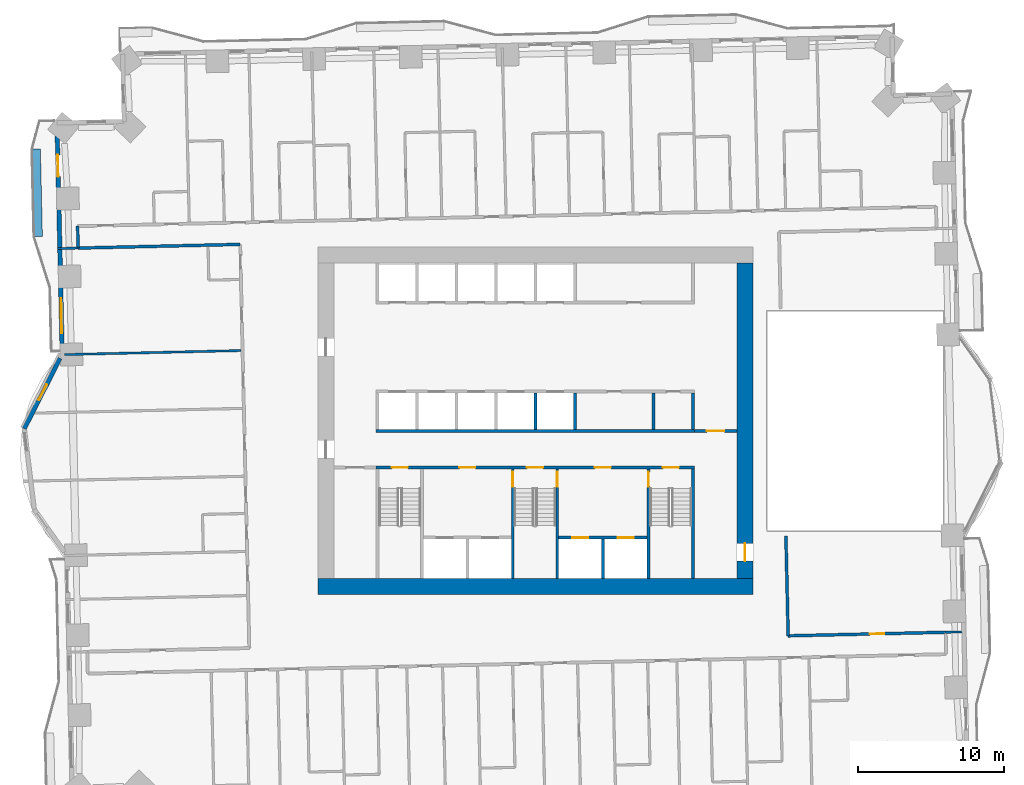
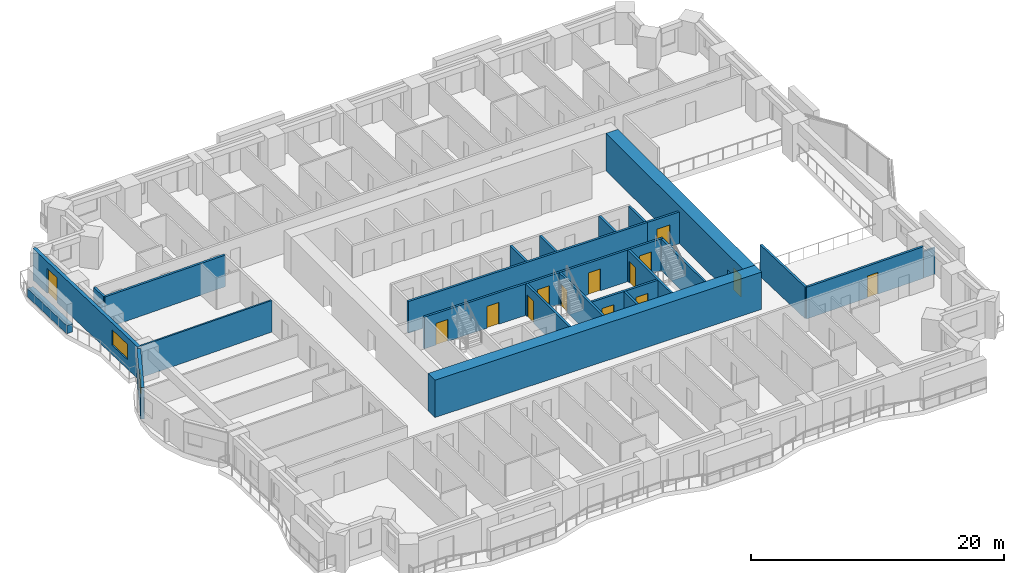
# One storey, part 8 of 16: 25 walls, 14 doors, 2 windows, 16 openings.
"""IFC4 building model written with IfcOpenShell, lengths in metres."""

from ifc_helpers import new_model, si_unit, direction, frame, frame_2d, origin, place, context, subcontext, project, spatial, rectangle, extrude, material, layer, layer_set, type_object, element, fill, save


model = new_model("IFC4")

# Units and contexts
model_context = context("Model", 3, precision=1e-05, world=origin(), true_north=direction((0.0, 1.0)))
body_context = subcontext(model_context, "Body", "Model", "MODEL_VIEW")
ifc_project = project(units=[si_unit("LENGTHUNIT", "METRE"), si_unit("AREAUNIT", "SQUARE_METRE"), si_unit("VOLUMEUNIT", "CUBIC_METRE"), si_unit("PLANEANGLEUNIT", "RADIAN"), si_unit("MASSUNIT", "GRAM", prefix="KILO")], contexts=[model_context])

# Site, building, storey
site_placement = place(None, origin())
site = spatial("IfcSite", under=ifc_project, at=site_placement, CompositionType="ELEMENT")
building_placement = place(site_placement, origin())
building = spatial("IfcBuilding", under=site, at=building_placement, Name="Mangrove Gate Tower", CompositionType="ELEMENT")
storey_placement = place(building_placement, frame((0.0, 0.0, 34.10009765625)))
storey = spatial("IfcBuildingStorey", under=building, at=storey_placement, Name="L07", CompositionType="ELEMENT", Elevation=34.10009765625)

# Wall, opening, door
ifc_material_1 = material(Name="Concrete C32/40", Category="concrete")
ifc_layer_1 = layer(ifc_material_1, 0.199951171875)
ifc_layer_set_1 = layer_set([ifc_layer_1], Name="Core lobby wall 200 C32/40")
wall_type_1 = type_object("IfcWallType", Name="Core lobby wall 200 C32/40", PredefinedType="STANDARD", material=ifc_layer_set_1)
wall_1_placement = place(storey_placement, frame((10.89990234375, -0.699951171875, 0.0), z_axis=(0.0, 0.0, 1.0), x_axis=(1.0, 0.0, 0.0)))
wall_1 = element("IfcWall", 1, at=wall_1_placement, inside=storey, type_object=wall_type_1, Name="WALL-L07-CORE-35", PredefinedType="STANDARD", context=body_context, shape_type="SweptSolid", body=[
    extrude(rectangle(XDim=2.900146484375, YDim=0.199951171875, at=frame_2d((1.4501953125, 0.0))), origin(), (0.0, 0.0, 1.0), 3.0498046875),
])
opening_1_placement = place(wall_1_placement, frame((0.85009765625, 0.0, 0.0)))
opening_1 = element("IfcOpeningElement", 2, at=opening_1_placement, cuts=wall_1, Name="Opening FL12", PredefinedType="OPENING", context=body_context, shape_type="SweptSolid", body=[
    extrude(rectangle(XDim=1.199951171875, YDim=2.10009765625, at=frame_2d((0.60009765625, 1.050048828125))), frame((0.0, 0.10986328125, 0.0), z_axis=(0.0, -1.0, 0.0), x_axis=(1.0, 0.0, 0.0)), (0.0, 0.0, 1.0), 0.219970703125),
])
ifc_material_2 = material(Name="Fire-rated steel door set", Category="steel")
door_type_1 = type_object("IfcDoorType", Name="Lobby door FD60 1200x2100", OperationType="SINGLE_SWING_LEFT", PredefinedType="DOOR", material=ifc_material_2)
door_1_placement = place(opening_1_placement, origin())
door_1 = element("IfcDoor", 3, at=door_1_placement, inside=storey, type_object=door_type_1, Name="Lobby door core corridor E partition", OperationType="SINGLE_SWING_LEFT", OverallHeight=2.10009765625, OverallWidth=1.199951171875, PredefinedType="DOOR", context=body_context, shape_type="SweptSolid", body=[
    extrude(rectangle(XDim=1.199951171875, YDim=2.10009765625, at=frame_2d((0.60009765625, 1.050048828125))), frame((0.0, 0.02490234375, 0.0), z_axis=(0.0, -1.0, 0.0), x_axis=(1.0, 0.0, 0.0)), (0.0, 0.0, 1.0), 0.050048828125),
])
fill(opening_1, door_1)

# Walls
ifc_material_3 = material(Name="Concrete C32/40", Category="concrete")
ifc_layer_2 = layer(ifc_material_3, 0.199951171875)
ifc_layer_set_2 = layer_set([ifc_layer_2], Name="Core room wall 200 C32/40")
wall_type_2 = type_object("IfcWallType", Name="Core room wall 200 C32/40", PredefinedType="STANDARD", material=ifc_layer_set_2)
for number, where, z_axis, x_axis, name in (
    (4, (8.10009765625, -0.60009765625, 0.0), (0.0, 0.0, 1.0), (0.0, 1.0, 0.0), "WALL-L07-CORE-25"),
    (5, (10.800048828125, -0.60009765625, 0.0), (0.0, 0.0, 1.0), (0.0, 1.0, 0.0), "WALL-L07-CORE-26"),
):
    element("IfcWall", number, at=place(storey_placement, frame(where, z_axis=z_axis, x_axis=x_axis)), inside=storey, type_object=wall_type_2, Name=name, PredefinedType="STANDARD", context=body_context, shape_type="SweptSolid", body=[
        extrude(rectangle(XDim=2.5, YDim=0.199951171875, at=frame_2d((1.25, 0.0))), origin(), (0.0, 0.0, 1.0), 3.0498046875),
    ])
ifc_material_4 = material(Name="Concrete C70/85", Category="concrete")
ifc_layer_3 = layer(ifc_material_4, 0.199951171875)
ifc_layer_set_3 = layer_set([ifc_layer_3], Name="Core shaft wall 200 C70/85")
wall_type_3 = type_object("IfcWallType", Name="Core shaft wall 200 C70/85", PredefinedType="SHEAR", material=ifc_layer_set_3)
wall_2_placement = place(storey_placement, frame((-10.89990234375, -0.699951171875, 0.0), z_axis=(0.0, 0.0, 1.0), x_axis=(1.0, 0.0, 0.0)))
element("IfcWall", 6, at=wall_2_placement, inside=storey, type_object=wall_type_3, Name="WALL-L07-CORE-6", PredefinedType="SHEAR", context=body_context, shape_type="SweptSolid", body=[
    extrude(rectangle(XDim=21.7998046875, YDim=0.199951171875, at=frame_2d((10.89990234375, 0.0))), origin(), (0.0, 0.0, 1.0), 3.0498046875),
])

# Wall, openings, doors
wall_3_placement = place(storey_placement, frame((1.60009765625, -8.0, 0.0), z_axis=(0.0, 0.0, 1.0), x_axis=(1.0, 0.0, 0.0)))
wall_3 = element("IfcWall", 7, at=wall_3_placement, inside=storey, type_object=wall_type_3, Name="WALL-L07-CORE-17", PredefinedType="SHEAR", context=body_context, shape_type="SweptSolid", body=[
    extrude(rectangle(XDim=6.0498046875, YDim=0.199951171875, at=frame_2d((3.02490234375, 0.0))), origin(), (0.0, 0.0, 1.0), 3.0498046875),
])
opening_2_placement = place(wall_3_placement, frame((0.91259765625, 0.0, 0.0)))
opening_2 = element("IfcOpeningElement", 8, at=opening_2_placement, cuts=wall_3, Name="Opening LD", PredefinedType="OPENING", context=body_context, shape_type="SweptSolid", body=[
    extrude(rectangle(XDim=1.10009765625, YDim=2.10009765625, at=frame_2d((0.550048828125, 1.050048828125))), frame((0.0, 0.10986328125, 0.0), z_axis=(0.0, -1.0, 0.0), x_axis=(1.0, 0.0, 0.0)), (0.0, 0.0, 1.0), 0.219970703125),
])
opening_3_placement = place(wall_3_placement, frame((4.03759765625, 0.0, 0.0)))
opening_3 = element("IfcOpeningElement", 9, at=opening_3_placement, cuts=wall_3, Name="Opening LD", PredefinedType="OPENING", context=body_context, shape_type="SweptSolid", body=[
    extrude(rectangle(XDim=1.10009765625, YDim=2.10009765625, at=frame_2d((0.550048828125, 1.050048828125))), frame((0.0, 0.10986328125, 0.0), z_axis=(0.0, -1.0, 0.0), x_axis=(1.0, 0.0, 0.0)), (0.0, 0.0, 1.0), 0.219970703125),
])
ifc_material_5 = material(Name="Stainless steel 316", Category="steel")
door_type_2 = type_object("IfcDoorType", Name="Lift landing door 1100x2100", OperationType="SLIDING_TO_LEFT", PredefinedType="DOOR", material=ifc_material_5)
door_2_placement = place(opening_2_placement, origin())
door_2 = element("IfcDoor", 10, at=door_2_placement, inside=storey, type_object=door_type_2, Name="Landing door LD FFL1", OperationType="SLIDING_TO_LEFT", OverallHeight=2.10009765625, OverallWidth=1.10009765625, PredefinedType="DOOR", context=body_context, shape_type="SweptSolid", body=[
    extrude(rectangle(XDim=1.10009765625, YDim=2.10009765625, at=frame_2d((0.550048828125, 1.050048828125))), frame((0.0, 0.02490234375, 0.0), z_axis=(0.0, -1.0, 0.0), x_axis=(1.0, 0.0, 0.0)), (0.0, 0.0, 1.0), 0.050048828125),
])
fill(opening_2, door_2)
door_3_placement = place(opening_3_placement, origin())
door_3 = element("IfcDoor", 11, at=door_3_placement, inside=storey, type_object=door_type_2, Name="Landing door LD FFL2", OperationType="SLIDING_TO_LEFT", OverallHeight=2.10009765625, OverallWidth=1.10009765625, PredefinedType="DOOR", context=body_context, shape_type="SweptSolid", body=[
    extrude(rectangle(XDim=1.10009765625, YDim=2.10009765625, at=frame_2d((0.550048828125, 1.050048828125))), frame((0.0, 0.02490234375, 0.0), z_axis=(0.0, -1.0, 0.0), x_axis=(1.0, 0.0, 0.0)), (0.0, 0.0, 1.0), 0.050048828125),
])
fill(opening_3, door_3)

# Walls
wall_4_placement = place(storey_placement, frame((4.625, -10.800048828125, 0.0), z_axis=(0.0, 0.0, 1.0), x_axis=(0.0, 1.0, 0.0)))
element("IfcWall", 12, at=wall_4_placement, inside=storey, type_object=wall_type_3, Name="WALL-L07-CORE-18", PredefinedType="SHEAR", context=body_context, shape_type="SweptSolid", body=[
    extrude(rectangle(XDim=2.699951171875, YDim=0.199951171875, at=frame_2d((1.35009765625, 0.0))), origin(), (0.0, 0.0, 1.0), 3.0498046875),
])
for number, where, z_axis, x_axis, name in (
    (13, (0.0, -0.60009765625, 0.0), (0.0, 0.0, 1.0), (0.0, 1.0, 0.0), "WALL-L07-CORE-23"),
    (14, (2.699951171875, -0.60009765625, 0.0), (0.0, 0.0, 1.0), (0.0, 1.0, 0.0), "WALL-L07-CORE-24"),
):
    element("IfcWall", number, at=place(storey_placement, frame(where, z_axis=z_axis, x_axis=x_axis)), inside=storey, type_object=wall_type_3, Name=name, PredefinedType="SHEAR", context=body_context, shape_type="SweptSolid", body=[
        extrude(rectangle(XDim=2.5, YDim=0.199951171875, at=frame_2d((1.25, 0.0))), origin(), (0.0, 0.0, 1.0), 3.0498046875),
    ])

# Wall, openings, doors
ifc_material_6 = material(Name="Concrete C70/85", Category="concrete")
ifc_layer_4 = layer(ifc_material_6, 0.199951171875)
ifc_layer_set_4 = layer_set([ifc_layer_4], Name="Core stair wall 200 C70/85")
wall_type_4 = type_object("IfcWallType", Name="Core stair wall 200 C70/85", PredefinedType="SHEAR", material=ifc_layer_set_4)
wall_5_placement = place(storey_placement, frame((-10.89990234375, -3.199951171875, 0.0), z_axis=(0.0, 0.0, 1.0), x_axis=(1.0, 0.0, 0.0)))
wall_5 = element("IfcWall", 15, at=wall_5_placement, inside=storey, type_object=wall_type_4, Name="WALL-L07-CORE-5", PredefinedType="SHEAR", context=body_context, shape_type="SweptSolid", body=[
    extrude(rectangle(XDim=21.7998046875, YDim=0.199951171875, at=frame_2d((10.89990234375, 0.0))), origin(), (0.0, 0.0, 1.0), 3.0498046875),
])
opening_4_placement = place(wall_5_placement, frame((1.074951171875, 0.0, 0.0)))
opening_4 = element("IfcOpeningElement", 16, at=opening_4_placement, cuts=wall_5, Name="Opening STD11", PredefinedType="OPENING", context=body_context, shape_type="SweptSolid", body=[
    extrude(rectangle(XDim=1.10009765625, YDim=2.10009765625, at=frame_2d((0.550048828125, 1.050048828125))), frame((0.0, 0.10986328125, 0.0), z_axis=(0.0, -1.0, 0.0), x_axis=(1.0, 0.0, 0.0)), (0.0, 0.0, 1.0), 0.219970703125),
])
opening_5_placement = place(wall_5_placement, frame((10.324951171875, 0.0, 0.0)))
opening_5 = element("IfcOpeningElement", 17, at=opening_5_placement, cuts=wall_5, Name="Opening STD11", PredefinedType="OPENING", context=body_context, shape_type="SweptSolid", body=[
    extrude(rectangle(XDim=1.10009765625, YDim=2.10009765625, at=frame_2d((0.550048828125, 1.050048828125))), frame((0.0, 0.10986328125, 0.0), z_axis=(0.0, -1.0, 0.0), x_axis=(1.0, 0.0, 0.0)), (0.0, 0.0, 1.0), 0.219970703125),
])
opening_6_placement = place(wall_5_placement, frame((19.625, 0.0, 0.0)))
opening_6 = element("IfcOpeningElement", 18, at=opening_6_placement, cuts=wall_5, Name="Opening STD11", PredefinedType="OPENING", context=body_context, shape_type="SweptSolid", body=[
    extrude(rectangle(XDim=1.10009765625, YDim=2.10009765625, at=frame_2d((0.550048828125, 1.050048828125))), frame((0.0, 0.10986328125, 0.0), z_axis=(0.0, -1.0, 0.0), x_axis=(1.0, 0.0, 0.0)), (0.0, 0.0, 1.0), 0.219970703125),
])
opening_7_placement = place(wall_5_placement, frame((5.699951171875, 0.0, 0.0)))
opening_7 = element("IfcOpeningElement", 19, at=opening_7_placement, cuts=wall_5, Name="Opening FL", PredefinedType="OPENING", context=body_context, shape_type="SweptSolid", body=[
    extrude(rectangle(XDim=1.10009765625, YDim=2.10009765625, at=frame_2d((0.550048828125, 1.050048828125))), frame((0.0, 0.10986328125, 0.0), z_axis=(0.0, -1.0, 0.0), x_axis=(1.0, 0.0, 0.0)), (0.0, 0.0, 1.0), 0.219970703125),
])
opening_8_placement = place(wall_5_placement, frame((14.97509765625, 0.0, 0.0)))
opening_8 = element("IfcOpeningElement", 20, at=opening_8_placement, cuts=wall_5, Name="Opening FL", PredefinedType="OPENING", context=body_context, shape_type="SweptSolid", body=[
    extrude(rectangle(XDim=1.10009765625, YDim=2.10009765625, at=frame_2d((0.550048828125, 1.050048828125))), frame((0.0, 0.10986328125, 0.0), z_axis=(0.0, -1.0, 0.0), x_axis=(1.0, 0.0, 0.0)), (0.0, 0.0, 1.0), 0.219970703125),
])
ifc_material_7 = material(Name="Fire-rated steel door set", Category="steel")
door_type_3 = type_object("IfcDoorType", Name="Lobby door FD60 1100x2100", OperationType="SINGLE_SWING_LEFT", PredefinedType="DOOR", material=ifc_material_7)
door_4_placement = place(opening_7_placement, origin())
door_4 = element("IfcDoor", 21, at=door_4_placement, inside=storey, type_object=door_type_3, Name="Lobby door service lobby", OperationType="SINGLE_SWING_LEFT", OverallHeight=2.10009765625, OverallWidth=1.10009765625, PredefinedType="DOOR", context=body_context, shape_type="SweptSolid", body=[
    extrude(rectangle(XDim=1.10009765625, YDim=2.10009765625, at=frame_2d((0.550048828125, 1.050048828125))), frame((0.0, 0.02490234375, 0.0), z_axis=(0.0, -1.0, 0.0), x_axis=(1.0, 0.0, 0.0)), (0.0, 0.0, 1.0), 0.050048828125),
])
fill(opening_7, door_4)
door_5_placement = place(opening_8_placement, origin())
door_5 = element("IfcDoor", 22, at=door_5_placement, inside=storey, type_object=door_type_3, Name="Lobby door fire-fighting lobby", OperationType="SINGLE_SWING_LEFT", OverallHeight=2.10009765625, OverallWidth=1.10009765625, PredefinedType="DOOR", context=body_context, shape_type="SweptSolid", body=[
    extrude(rectangle(XDim=1.10009765625, YDim=2.10009765625, at=frame_2d((0.550048828125, 1.050048828125))), frame((0.0, 0.02490234375, 0.0), z_axis=(0.0, -1.0, 0.0), x_axis=(1.0, 0.0, 0.0)), (0.0, 0.0, 1.0), 0.050048828125),
])
fill(opening_8, door_5)
ifc_material_8 = material(Name="Fire-rated steel door set", Category="steel")
door_type_4 = type_object("IfcDoorType", Name="Stair door FD60 1100x2100", OperationType="SINGLE_SWING_RIGHT", PredefinedType="DOOR", material=ifc_material_8)
door_6_placement = place(opening_4_placement, origin())
door_6 = element("IfcDoor", 23, at=door_6_placement, inside=storey, type_object=door_type_4, Name="Stair door Stair 1", OperationType="SINGLE_SWING_RIGHT", OverallHeight=2.10009765625, OverallWidth=1.10009765625, PredefinedType="DOOR", context=body_context, shape_type="SweptSolid", body=[
    extrude(rectangle(XDim=1.10009765625, YDim=2.10009765625, at=frame_2d((0.550048828125, 1.050048828125))), frame((0.0, 0.02490234375, 0.0), z_axis=(0.0, -1.0, 0.0), x_axis=(1.0, 0.0, 0.0)), (0.0, 0.0, 1.0), 0.050048828125),
])
fill(opening_4, door_6)
door_7_placement = place(opening_5_placement, origin())
door_7 = element("IfcDoor", 24, at=door_7_placement, inside=storey, type_object=door_type_4, Name="Stair door Stair 2", OperationType="SINGLE_SWING_RIGHT", OverallHeight=2.10009765625, OverallWidth=1.10009765625, PredefinedType="DOOR", context=body_context, shape_type="SweptSolid", body=[
    extrude(rectangle(XDim=1.10009765625, YDim=2.10009765625, at=frame_2d((0.550048828125, 1.050048828125))), frame((0.0, 0.02490234375, 0.0), z_axis=(0.0, -1.0, 0.0), x_axis=(1.0, 0.0, 0.0)), (0.0, 0.0, 1.0), 0.050048828125),
])
fill(opening_5, door_7)
door_8_placement = place(opening_6_placement, origin())
door_8 = element("IfcDoor", 25, at=door_8_placement, inside=storey, type_object=door_type_4, Name="Stair door Stair 3", OperationType="SINGLE_SWING_RIGHT", OverallHeight=2.10009765625, OverallWidth=1.10009765625, PredefinedType="DOOR", context=body_context, shape_type="SweptSolid", body=[
    extrude(rectangle(XDim=1.10009765625, YDim=2.10009765625, at=frame_2d((0.550048828125, 1.050048828125))), frame((0.0, 0.02490234375, 0.0), z_axis=(0.0, -1.0, 0.0), x_axis=(1.0, 0.0, 0.0)), (0.0, 0.0, 1.0), 0.050048828125),
])
fill(opening_6, door_8)

# Wall, opening, door
wall_6_placement = place(storey_placement, frame((-1.550048828125, -10.800048828125, 0.0), z_axis=(0.0, 0.0, 1.0), x_axis=(0.0, 1.0, 0.0)))
wall_6 = element("IfcWall", 26, at=wall_6_placement, inside=storey, type_object=wall_type_4, Name="WALL-L07-CORE-11", PredefinedType="SHEAR", context=body_context, shape_type="SweptSolid", body=[
    extrude(rectangle(XDim=7.5, YDim=0.199951171875, at=frame_2d((3.75, 0.0))), origin(), (0.0, 0.0, 1.0), 3.0498046875),
])
opening_9_placement = place(wall_6_placement, frame((6.300048828125, 0.0, 0.0)))
opening_9 = element("IfcOpeningElement", 27, at=opening_9_placement, cuts=wall_6, Name="Opening STD10", PredefinedType="OPENING", context=body_context, shape_type="SweptSolid", body=[
    extrude(rectangle(XDim=1.0, YDim=2.10009765625, at=frame_2d((0.5, 1.050048828125))), frame((0.0, 0.10986328125, 0.0), z_axis=(0.0, -1.0, 0.0), x_axis=(1.0, 0.0, 0.0)), (0.0, 0.0, 1.0), 0.219970703125),
])
ifc_material_9 = material(Name="Fire-rated steel door set", Category="steel")
door_type_5 = type_object("IfcDoorType", Name="Stair door FD60 1000x2100", OperationType="SINGLE_SWING_RIGHT", PredefinedType="DOOR", material=ifc_material_9)
door_9_placement = place(opening_9_placement, origin())
door_9 = element("IfcDoor", 28, at=door_9_placement, inside=storey, type_object=door_type_5, Name="Stair door Stair 2 from service lobby", OperationType="SINGLE_SWING_RIGHT", OverallHeight=2.10009765625, OverallWidth=1.0, PredefinedType="DOOR", context=body_context, shape_type="SweptSolid", body=[
    extrude(rectangle(XDim=1.0, YDim=2.10009765625, at=frame_2d((0.5, 1.050048828125))), frame((0.0, 0.02490234375, 0.0), z_axis=(0.0, -1.0, 0.0), x_axis=(1.0, 0.0, 0.0)), (0.0, 0.0, 1.0), 0.050048828125),
])
fill(opening_9, door_9)

wall_7_placement = place(storey_placement, frame((1.5, -10.800048828125, 0.0), z_axis=(0.0, 0.0, 1.0), x_axis=(0.0, 1.0, 0.0)))
wall_7 = element("IfcWall", 29, at=wall_7_placement, inside=storey, type_object=wall_type_4, Name="WALL-L07-CORE-12", PredefinedType="SHEAR", context=body_context, shape_type="SweptSolid", body=[
    extrude(rectangle(XDim=7.5, YDim=0.199951171875, at=frame_2d((3.75, 0.0))), origin(), (0.0, 0.0, 1.0), 3.0498046875),
])
opening_10_placement = place(wall_7_placement, frame((6.300048828125, 0.0, 0.0)))
opening_10 = element("IfcOpeningElement", 30, at=opening_10_placement, cuts=wall_7, Name="Opening STD10", PredefinedType="OPENING", context=body_context, shape_type="SweptSolid", body=[
    extrude(rectangle(XDim=1.0, YDim=2.10009765625, at=frame_2d((0.5, 1.050048828125))), frame((0.0, 0.10986328125, 0.0), z_axis=(0.0, -1.0, 0.0), x_axis=(1.0, 0.0, 0.0)), (0.0, 0.0, 1.0), 0.219970703125),
])
door_10_placement = place(opening_10_placement, origin())
door_10 = element("IfcDoor", 31, at=door_10_placement, inside=storey, type_object=door_type_5, Name="Stair door Stair 2 from fire-fighting lobby", OperationType="SINGLE_SWING_RIGHT", OverallHeight=2.10009765625, OverallWidth=1.0, PredefinedType="DOOR", context=body_context, shape_type="SweptSolid", body=[
    extrude(rectangle(XDim=1.0, YDim=2.10009765625, at=frame_2d((0.5, 1.050048828125))), frame((0.0, 0.02490234375, 0.0), z_axis=(0.0, -1.0, 0.0), x_axis=(1.0, 0.0, 0.0)), (0.0, 0.0, 1.0), 0.050048828125),
])
fill(opening_10, door_10)

wall_8_placement = place(storey_placement, frame((7.75, -10.800048828125, 0.0), z_axis=(0.0, 0.0, 1.0), x_axis=(0.0, 1.0, 0.0)))
wall_8 = element("IfcWall", 32, at=wall_8_placement, inside=storey, type_object=wall_type_4, Name="WALL-L07-CORE-13", PredefinedType="SHEAR", context=body_context, shape_type="SweptSolid", body=[
    extrude(rectangle(XDim=7.5, YDim=0.199951171875, at=frame_2d((3.75, 0.0))), origin(), (0.0, 0.0, 1.0), 3.0498046875),
])
opening_11_placement = place(wall_8_placement, frame((6.300048828125, 0.0, 0.0)))
opening_11 = element("IfcOpeningElement", 33, at=opening_11_placement, cuts=wall_8, Name="Opening STD10", PredefinedType="OPENING", context=body_context, shape_type="SweptSolid", body=[
    extrude(rectangle(XDim=1.0, YDim=2.10009765625, at=frame_2d((0.5, 1.050048828125))), frame((0.0, 0.10986328125, 0.0), z_axis=(0.0, -1.0, 0.0), x_axis=(1.0, 0.0, 0.0)), (0.0, 0.0, 1.0), 0.219970703125),
])
door_11_placement = place(opening_11_placement, origin())
door_11 = element("IfcDoor", 34, at=door_11_placement, inside=storey, type_object=door_type_5, Name="Stair door Stair 3 from fire-fighting lobby", OperationType="SINGLE_SWING_RIGHT", OverallHeight=2.10009765625, OverallWidth=1.0, PredefinedType="DOOR", context=body_context, shape_type="SweptSolid", body=[
    extrude(rectangle(XDim=1.0, YDim=2.10009765625, at=frame_2d((0.5, 1.050048828125))), frame((0.0, 0.02490234375, 0.0), z_axis=(0.0, -1.0, 0.0), x_axis=(1.0, 0.0, 0.0)), (0.0, 0.0, 1.0), 0.050048828125),
])
fill(opening_11, door_11)

# Walls
wall_9_placement = place(storey_placement, frame((10.800048828125, -10.800048828125, 0.0), z_axis=(0.0, 0.0, 1.0), x_axis=(0.0, 1.0, 0.0)))
element("IfcWall", 35, at=wall_9_placement, inside=storey, type_object=wall_type_4, Name="WALL-L07-CORE-14", PredefinedType="SHEAR", context=body_context, shape_type="SweptSolid", body=[
    extrude(rectangle(XDim=7.5, YDim=0.199951171875, at=frame_2d((3.75, 0.0))), origin(), (0.0, 0.0, 1.0), 3.0498046875),
])
ifc_material_10 = material(Name="Concrete C70/85", Category="concrete")
ifc_layer_5 = layer(ifc_material_10, 1.10009765625)
ifc_layer_set_5 = layer_set([ifc_layer_5], Name="Core wall 1100 C70/85")
wall_type_5 = type_object("IfcWallType", Name="Core wall 1100 C70/85", PredefinedType="SHEAR", material=ifc_layer_set_5)
wall_10_placement = place(storey_placement, frame((-14.89990234375, -11.35009765625, 0.0), z_axis=(0.0, 0.0, 1.0), x_axis=(1.0, 0.0, 0.0)))
element("IfcWall", 36, at=wall_10_placement, inside=storey, type_object=wall_type_5, Name="WALL-L07-CORE-1", PredefinedType="SHEAR", context=body_context, shape_type="SweptSolid", body=[
    extrude(rectangle(XDim=29.7998046875, YDim=1.10009765625, at=frame_2d((14.89990234375, 0.0))), origin(), (0.0, 0.0, 1.0), 3.599853515625),
])

# Wall, opening, door
wall_11_placement = place(storey_placement, frame((14.35009765625, -10.800048828125, 0.0), z_axis=(0.0, 0.0, 1.0), x_axis=(0.0, 1.0, 0.0)))
wall_11 = element("IfcWall", 37, at=wall_11_placement, inside=storey, type_object=wall_type_5, Name="WALL-L07-CORE-4", PredefinedType="SHEAR", context=body_context, shape_type="SweptSolid", body=[
    extrude(rectangle(XDim=21.60009765625, YDim=1.10009765625, at=frame_2d((10.800048828125, 0.0))), origin(), (0.0, 0.0, 1.0), 3.599853515625),
])
opening_12_placement = place(wall_11_placement, frame((1.199951171875, 0.0, 0.0)))
opening_12 = element("IfcOpeningElement", 38, at=opening_12_placement, cuts=wall_11, Name="Opening CD", PredefinedType="OPENING", context=body_context, shape_type="SweptSolid", body=[
    extrude(rectangle(XDim=1.199951171875, YDim=2.10009765625, at=frame_2d((0.60009765625, 1.050048828125))), frame((0.0, 0.56005859375, 0.0), z_axis=(0.0, -1.0, 0.0), x_axis=(1.0, 0.0, 0.0)), (0.0, 0.0, 1.0), 1.1201171875),
])
ifc_material_11 = material(Name="Fire-rated steel door set", Category="steel")
door_type_6 = type_object("IfcDoorType", Name="Core ring door FD60 1200x2100", OperationType="DOUBLE_DOOR_SINGLE_SWING", PredefinedType="DOOR", material=ifc_material_11)
door_12_placement = place(opening_12_placement, origin())
door_12 = element("IfcDoor", 39, at=door_12_placement, inside=storey, type_object=door_type_6, Name="Core ring door E1", OperationType="DOUBLE_DOOR_SINGLE_SWING", OverallHeight=2.10009765625, OverallWidth=1.199951171875, PredefinedType="DOOR", context=body_context, shape_type="SweptSolid", body=[
    extrude(rectangle(XDim=1.199951171875, YDim=2.10009765625, at=frame_2d((0.60009765625, 1.050048828125))), frame((0.0, 0.02490234375, 0.0), z_axis=(0.0, -1.0, 0.0), x_axis=(1.0, 0.0, 0.0)), (0.0, 0.0, 1.0), 0.050048828125),
])
fill(opening_12, door_12)

ifc_material_12 = material(Name="Gypsum board on steel stud, EI 60", Category="steel")
ifc_layer_6 = layer(ifc_material_12, 0.199951171875)
ifc_layer_set_6 = layer_set([ifc_layer_6], Name="Corridor wall EI 60")
wall_type_6 = type_object("IfcWallType", Name="Corridor wall EI 60", PredefinedType="PARTITIONING", material=ifc_layer_set_6)
wall_12_placement = place(storey_placement, frame((17.305908203125, -14.72412109375, 0.0), z_axis=(0.0, 0.0, 1.0), x_axis=(0.999744269809, 0.022614043969, 0.0)))
wall_12 = element("IfcWall", 40, at=wall_12_placement, inside=storey, type_object=wall_type_6, Name="WALL-L07-037", PredefinedType="PARTITIONING", context=body_context, shape_type="SweptSolid", body=[
    extrude(rectangle(XDim=10.7958984375, YDim=0.199951171875, at=frame_2d((5.39794921875, 0.0))), origin(), (0.0, 0.0, 1.0), 3.0498046875),
])
opening_13_placement = place(wall_12_placement, frame((5.597900390625, 0.0, 0.0)))
opening_13 = element("IfcOpeningElement", 41, at=opening_13_placement, cuts=wall_12, Name="Opening AD", PredefinedType="OPENING", context=body_context, shape_type="SweptSolid", body=[
    extrude(rectangle(XDim=1.0, YDim=2.10009765625, at=frame_2d((0.5, 1.050048828125))), frame((0.0, 0.10986328125, 0.0), z_axis=(0.0, -1.0, 0.0), x_axis=(1.0, 0.0, 0.0)), (0.0, 0.0, 1.0), 0.219970703125),
])
ifc_material_13 = material(Name="Timber door leaf", Category="wood")
door_type_7 = type_object("IfcDoorType", Name="Amenity door 1000", OperationType="SINGLE_SWING_LEFT", PredefinedType="DOOR", material=ifc_material_13)
door_13_placement = place(opening_13_placement, origin())
door_13 = element("IfcDoor", 42, at=door_13_placement, inside=storey, type_object=door_type_7, Name="DOOR-L07-LNG-c3a", OperationType="SINGLE_SWING_LEFT", OverallHeight=2.10009765625, OverallWidth=1.0, PredefinedType="DOOR", context=body_context, shape_type="SweptSolid", body=[
    extrude(rectangle(XDim=1.0, YDim=2.10009765625, at=frame_2d((0.5, 1.050048828125))), frame((0.0, 0.02490234375, 0.0), z_axis=(0.0, -1.0, 0.0), x_axis=(1.0, 0.0, 0.0)), (0.0, 0.0, 1.0), 0.050048828125),
])
fill(opening_13, door_13)

# Walls
wall_13_placement = place(storey_placement, frame((17.31103515625, -14.72412109375, 0.0), z_axis=(0.0, 0.0, 1.0), x_axis=(-0.022562209343, 0.999745440955, 0.0)))
element("IfcWall", 43, at=wall_13_placement, inside=storey, type_object=wall_type_6, Name="WALL-L07-038", PredefinedType="PARTITIONING", context=body_context, shape_type="SweptSolid", body=[
    extrude(rectangle(XDim=6.827880859375, YDim=0.199951171875, at=frame_2d((3.4140625, 0.0))), origin(), (0.0, 0.0, 1.0), 3.0498046875),
])
wall_14_placement = place(storey_placement, frame((-31.31298828125, 11.8291015625, 0.0), z_axis=(0.0, 0.0, 1.0), x_axis=(0.999742346277, 0.022698921993, 0.0)))
element("IfcWall", 44, at=wall_14_placement, inside=storey, type_object=wall_type_6, Name="WALL-L07-051", PredefinedType="PARTITIONING", context=body_context, shape_type="SweptSolid", body=[
    extrude(rectangle(XDim=11.099853515625, YDim=0.199951171875, at=frame_2d((5.5498046875, 0.0))), origin(), (0.0, 0.0, 1.0), 3.0498046875),
])
wall_15_placement = place(storey_placement, frame((-31.31298828125, 11.8291015625, 0.0), z_axis=(0.0, 0.0, 1.0), x_axis=(-0.022617910375, 0.999744182344, 0.0)))
element("IfcWall", 45, at=wall_15_placement, inside=storey, type_object=wall_type_6, Name="WALL-L07-052", PredefinedType="PARTITIONING", context=body_context, shape_type="SweptSolid", body=[
    extrude(rectangle(XDim=1.50048828125, YDim=0.199951171875, at=frame_2d((0.750244140625, 0.0))), origin(), (0.0, 0.0, 1.0), 3.0498046875),
])

# Wall, openings, door, window
ifc_material_14 = material(Name="Limestone", Category="masonry")
ifc_layer_7 = layer(ifc_material_14, 0.0400390625, Name="Limestone cladding")
ifc_material_15 = material(Name="Ventilated air gap")
ifc_layer_8 = layer(ifc_material_15, 0.0400390625, Name="Ventilated cavity")
ifc_material_16 = material(Name="Mineral wool insulation")
ifc_layer_9 = layer(ifc_material_16, 0.06005859375, Name="Insulation")
ifc_material_17 = material(Name="Breather membrane")
ifc_layer_10 = layer(ifc_material_17, 0.001953125, Name="Breather membrane")
ifc_material_18 = material(Name="Concrete C20/25 blockwork", Category="masonry")
ifc_layer_11 = layer(ifc_material_18, 0.14990234375, Name="Blockwork backing wall")
ifc_material_19 = material(Name="Gypsum plaster")
ifc_layer_12 = layer(ifc_material_19, 0.008056640625, Name="Internal plaster")
ifc_layer_set_7 = layer_set([ifc_layer_7, ifc_layer_8, ifc_layer_9, ifc_layer_10, ifc_layer_11, ifc_layer_12], Name="External wall 300 limestone cladding")
wall_type_7 = type_object("IfcWallType", Name="External wall 300 limestone cladding", PredefinedType="SOLIDWALL", material=ifc_layer_set_7)
wall_16_placement = place(storey_placement, frame((-32.758056640625, 20.39892578125, 0.0), z_axis=(0.0, 0.0, 1.0), x_axis=(0.022668485183, -0.999743036875, 0.0)))
wall_16 = element("IfcWall", 46, at=wall_16_placement, inside=storey, type_object=wall_type_7, Name="WALL-L07-W8", PredefinedType="SOLIDWALL", context=body_context, shape_type="SweptSolid", body=[
    extrude(rectangle(XDim=15.928955078125, YDim=0.300048828125, at=frame_2d((7.96435546875, 0.0))), origin(), (0.0, 0.0, 1.0), 3.0498046875),
])
opening_14_placement = place(wall_16_placement, frame((2.18310546875, 0.0, 0.0)))
opening_14 = element("IfcOpeningElement", 47, at=opening_14_placement, cuts=wall_16, Name="Opening BD1", PredefinedType="OPENING", context=body_context, shape_type="SweptSolid", body=[
    extrude(rectangle(XDim=1.5, YDim=2.39990234375, at=frame_2d((0.75, 1.199951171875))), frame((0.0, 0.159912109375, 0.0), z_axis=(0.0, -1.0, 0.0), x_axis=(1.0, 0.0, 0.0)), (0.0, 0.0, 1.0), 0.320068359375),
])
opening_15_placement = place(wall_16_placement, frame((12.00390625, 0.0, 0.89990234375)))
opening_15 = element("IfcOpeningElement", 48, at=opening_15_placement, cuts=wall_16, Name="Opening W2", PredefinedType="OPENING", context=body_context, shape_type="SweptSolid", body=[
    extrude(rectangle(XDim=2.39990234375, YDim=1.5, at=frame_2d((1.199951171875, 0.75))), frame((0.0, 0.159912109375, 0.0), z_axis=(0.0, -1.0, 0.0), x_axis=(1.0, 0.0, 0.0)), (0.0, 0.0, 1.0), 0.320068359375),
])
ifc_material_20 = material(Name="Aluminium frame with laminated clear glass", Category="aluminium")
door_type_8 = type_object("IfcDoorType", Name="Balcony sliding door 1500x2400", OperationType="SLIDING_TO_LEFT", PredefinedType="DOOR", material=ifc_material_20)
door_14_placement = place(opening_14_placement, origin())
door_14 = element("IfcDoor", 49, at=door_14_placement, inside=storey, type_object=door_type_8, Name="DOOR-L07-W8-1", OperationType="SLIDING_TO_LEFT", OverallHeight=2.39990234375, OverallWidth=1.5, PredefinedType="DOOR", context=body_context, shape_type="SweptSolid", body=[
    extrude(rectangle(XDim=1.5, YDim=2.39990234375, at=frame_2d((0.75, 1.199951171875))), frame((0.0, 0.02490234375, 0.0), z_axis=(0.0, -1.0, 0.0), x_axis=(1.0, 0.0, 0.0)), (0.0, 0.0, 1.0), 0.050048828125),
])
fill(opening_14, door_14)
ifc_material_21 = material(Name="Aluminium frame with double-glazed low-e glass", Category="aluminium")
window_type_1 = type_object("IfcWindowType", Name="Corner room window 2400x1500", PartitioningType="DOUBLE_PANEL_VERTICAL", PredefinedType="WINDOW", material=ifc_material_21)
window_1_placement = place(opening_15_placement, origin())
window_1 = element("IfcWindow", 50, at=window_1_placement, inside=storey, type_object=window_type_1, Name="WIN-L07-W8-2", OverallHeight=1.5, OverallWidth=2.39990234375, PartitioningType="DOUBLE_PANEL_VERTICAL", PredefinedType="WINDOW", context=body_context, shape_type="SweptSolid", body=[
    extrude(rectangle(XDim=2.39990234375, YDim=1.5, at=frame_2d((1.199951171875, 0.75))), frame((0.0, 0.030029296875, 0.0), z_axis=(0.0, -1.0, 0.0), x_axis=(1.0, 0.0, 0.0)), (0.0, 0.0, 1.0), 0.06005859375),
])
fill(opening_15, window_1)

# Wall, opening, window
wall_17_placement = place(storey_placement, frame((-32.552001953125, 4.280029296875, 0.0), z_axis=(0.0, 0.0, 1.0), x_axis=(-0.452703975507, -0.891660871946, 0.0)))
wall_17 = element("IfcWall", 51, at=wall_17_placement, inside=storey, type_object=wall_type_7, Name="WALL-L07-W9f1", PredefinedType="SOLIDWALL", context=body_context, shape_type="SweptSolid", body=[
    extrude(rectangle(XDim=5.39892578125, YDim=0.300048828125, at=frame_2d((2.699462890625, 0.0))), origin(), (0.0, 0.0, 1.0), 3.0498046875),
])
opening_16_placement = place(wall_17_placement, frame((2.007080078125, 0.0, 0.89990234375)))
opening_16 = element("IfcOpeningElement", 52, at=opening_16_placement, cuts=wall_17, Name="Opening W1", PredefinedType="OPENING", context=body_context, shape_type="SweptSolid", body=[
    extrude(rectangle(XDim=1.199951171875, YDim=1.5, at=frame_2d((0.60009765625, 0.75))), frame((0.0, 0.159912109375, 0.0), z_axis=(0.0, -1.0, 0.0), x_axis=(1.0, 0.0, 0.0)), (0.0, 0.0, 1.0), 0.320068359375),
])
ifc_material_22 = material(Name="Aluminium frame with double-glazed low-e glass", Category="aluminium")
window_type_2 = type_object("IfcWindowType", Name="Side lite 1200x1500", PartitioningType="SINGLE_PANEL", PredefinedType="WINDOW", material=ifc_material_22)
window_2_placement = place(opening_16_placement, origin())
window_2 = element("IfcWindow", 53, at=window_2_placement, inside=storey, type_object=window_type_2, Name="WIN-L07-W9f1", OverallHeight=1.5, OverallWidth=1.199951171875, PartitioningType="SINGLE_PANEL", PredefinedType="WINDOW", context=body_context, shape_type="SweptSolid", body=[
    extrude(rectangle(XDim=1.199951171875, YDim=1.5, at=frame_2d((0.60009765625, 0.75))), frame((0.0, 0.030029296875, 0.0), z_axis=(0.0, -1.0, 0.0), x_axis=(1.0, 0.0, 0.0)), (0.0, 0.0, 1.0), 0.06005859375),
])
fill(opening_16, window_2)

# Walls
ifc_material_23 = material(Name="Gypsum board on steel stud, EI 60", Category="steel")
ifc_layer_13 = layer(ifc_material_23, 0.14990234375)
ifc_layer_set_8 = layer_set([ifc_layer_13], Name="Party wall 150 EI 60")
wall_type_8 = type_object("IfcWallType", Name="Party wall 150 EI 60", PredefinedType="PARTITIONING", material=ifc_layer_set_8)
wall_18_placement = place(storey_placement, frame((28.094970703125, -14.47998046875, 0.0), z_axis=(0.0, 0.0, 1.0), x_axis=(0.999745251335, 0.022570609924, 0.0)))
element("IfcWall", 54, at=wall_18_placement, inside=storey, type_object=wall_type_8, Name="WALL-L07-039", PredefinedType="PARTITIONING", context=body_context, shape_type="SweptSolid", body=[
    extrude(rectangle(XDim=1.103271484375, YDim=0.14990234375, at=frame_2d((0.5517578125, 0.0))), origin(), (0.0, 0.0, 1.0), 2.5498046875),
])
wall_19_placement = place(storey_placement, frame((-32.248046875, 4.535888671875, 0.0), z_axis=(0.0, 0.0, 1.0), x_axis=(0.999741439573, 0.022738821441, 0.0)))
element("IfcWall", 55, at=wall_19_placement, inside=storey, type_object=wall_type_8, Name="WALL-L07-046", PredefinedType="PARTITIONING", context=body_context, shape_type="SweptSolid", body=[
    extrude(rectangle(XDim=12.100341796875, YDim=0.14990234375, at=frame_2d((6.05029296875, 0.0))), origin(), (0.0, 0.0, 1.0), 3.0498046875),
])
wall_20_placement = place(storey_placement, frame((-32.712890625, 11.798095703125, 0.0), z_axis=(0.0, 0.0, 1.0), x_axis=(0.999756172383, 0.022081571112, 0.0)))
element("IfcWall", 56, at=wall_20_placement, inside=storey, type_object=wall_type_8, Name="WALL-L07-050", PredefinedType="PARTITIONING", context=body_context, shape_type="SweptSolid", body=[
    extrude(rectangle(XDim=1.404052734375, YDim=0.14990234375, at=frame_2d((0.7021484375, 0.0))), origin(), (0.0, 0.0, 1.0), 2.5498046875),
])
ifc_material_24 = material(Name="Concrete C32/40", Category="concrete")
ifc_layer_14 = layer(ifc_material_24, 0.199951171875, Name="Planter trough wall")
ifc_material_25 = material(Name="Bituminous waterproofing membrane")
ifc_layer_15 = layer(ifc_material_25, 0.0048828125, Name="Waterproofing")
ifc_material_26 = material(Name="Drainage board and gravel")
ifc_layer_16 = layer(ifc_material_26, 0.044921875, Name="Drainage layer")
ifc_material_27 = material(Name="Planting soil")
ifc_layer_17 = layer(ifc_material_27, 0.300048828125, Name="Growing medium")
ifc_layer_set_9 = layer_set([ifc_layer_14, ifc_layer_15, ifc_layer_16, ifc_layer_17], Name="Planter wall 550 C32/40")
wall_type_9 = type_object("IfcWallType", Name="Planter wall 550 C32/40", PredefinedType="USERDEFINED", material=ifc_layer_set_9)
wall_21_placement = place(storey_placement, frame((-34.031982421875, 12.617919921875, 0.0), z_axis=(0.0, 0.0, 1.0), x_axis=(-0.022662255828, 0.999743178102, 0.0)))
element("IfcWall", 57, at=wall_21_placement, inside=storey, type_object=wall_type_9, Name="PLANTER L07 W0.1", ObjectType="PLANTER", PredefinedType="USERDEFINED", context=body_context, shape_type="SweptSolid", body=[
    extrude(rectangle(XDim=6.00048828125, YDim=0.550048828125, at=frame_2d((3.000244140625, 0.0))), origin(), (0.0, 0.0, 1.0), 0.7998046875),
])

save(model, "model.ifc")
